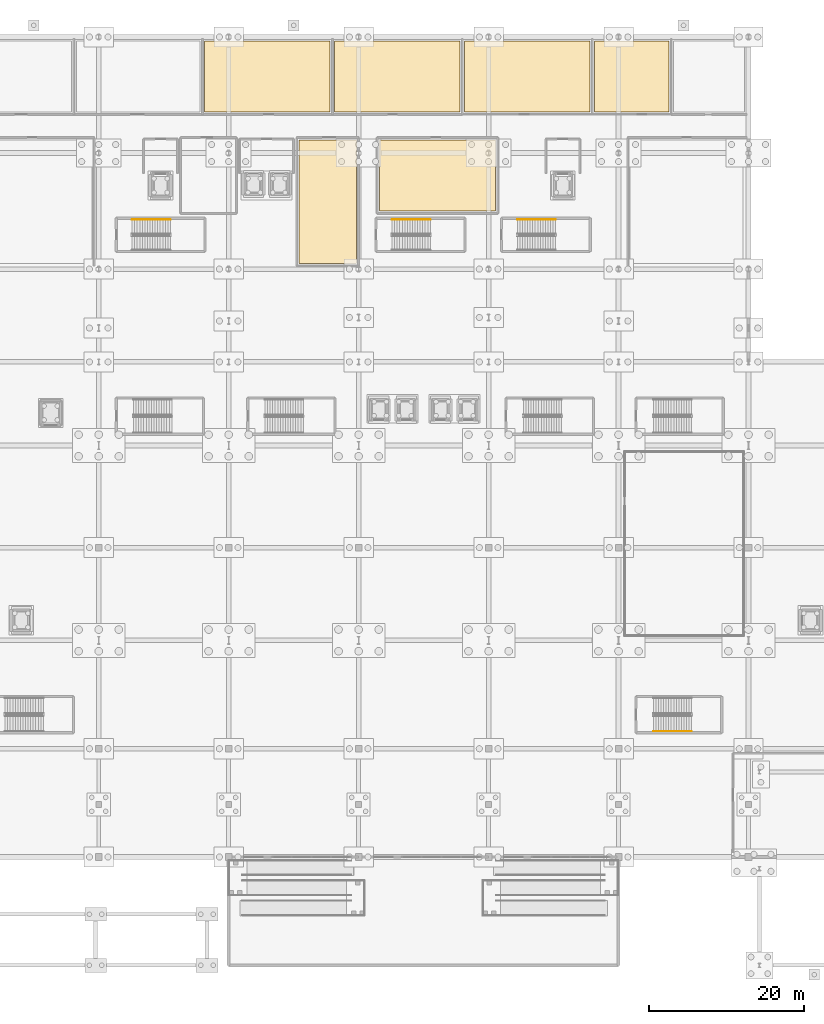
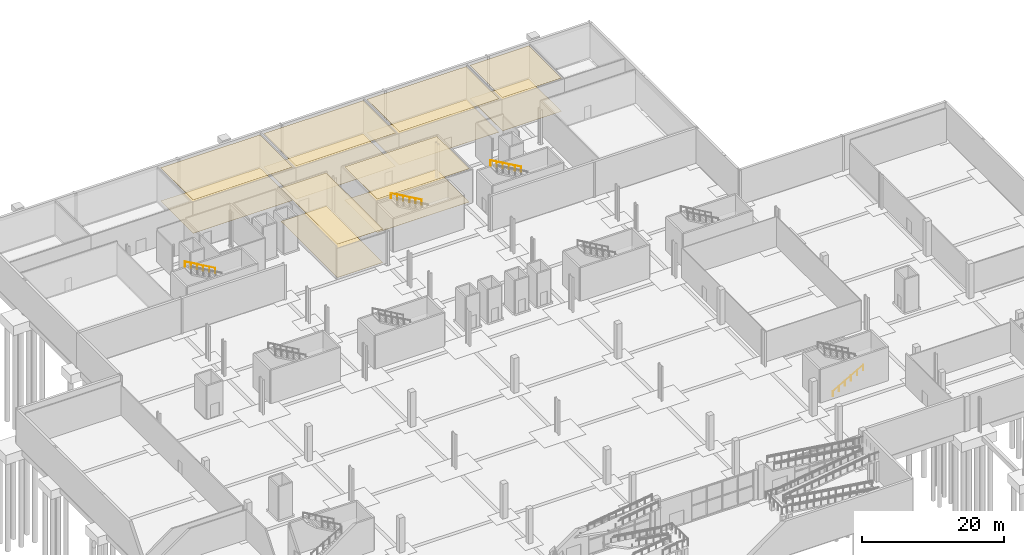
# One storey, part 42 of 46: 12 coverings, 4 railings.
"""IFC4 building model written with IfcOpenShell, lengths in metres."""

from ifc_helpers import new_model, si_unit, direction, frame, origin, origin_2d, place, context, subcontext, project, spatial, polyline, circle, outline, extrude, material, layer, layer_set, type_object, element, save


model = new_model("IFC4")

# Units and contexts
model_context = context("Model", 3, precision=1e-05, world=origin(), true_north=direction((0.0, 1.0)))
body_context = subcontext(model_context, "Body", "Model", "MODEL_VIEW")
ifc_project = project(units=[si_unit("LENGTHUNIT", "METRE"), si_unit("AREAUNIT", "SQUARE_METRE"), si_unit("VOLUMEUNIT", "CUBIC_METRE"), si_unit("PLANEANGLEUNIT", "RADIAN"), si_unit("MASSUNIT", "GRAM", prefix="KILO")], contexts=[model_context])

# Site, building, storey
site_placement = place(None, origin())
site = spatial("IfcSite", under=ifc_project, at=site_placement, CompositionType="ELEMENT")
building_placement = place(site_placement, origin())
building = spatial("IfcBuilding", under=site, at=building_placement, Name="Kimbaza Rail Terminus", CompositionType="ELEMENT")
storey_placement = place(building_placement, frame((0.0, 0.0, -6.0)))
storey = spatial("IfcBuildingStorey", under=building, at=storey_placement, Name="B1", CompositionType="ELEMENT", Elevation=-6.0)

# Coverings
ifc_material_1 = material(Name="Perforated acoustic mineral ceiling tile", Category="gypsum")
ifc_layer_1 = layer(ifc_material_1, 0.02490234375)
ifc_layer_set_1 = layer_set([ifc_layer_1], Name="Perforated acoustic mineral ceiling tile")
covering_type_1 = type_object("IfcCoveringType", Name="ARC-COV-CEIL", PredefinedType="CEILING", material=ifc_layer_set_1)
covering_1_placement = place(storey_placement, frame((0.0, 0.0, 5.72998046875)))
element("IfcCovering", 1, at=covering_1_placement, inside=storey, type_object=covering_type_1, Name="District Chiller Plant Room Acoustic Ceiling", PredefinedType="CEILING", context=body_context, shape_type="SweptSolid", body=[
    extrude(outline(polyline([(85.699951171875, 123.300048828125), (101.89990234375, 123.300048828125), (101.89990234375, 132.5), (85.699951171875, 132.5), (85.699951171875, 123.300048828125)])), origin(), (0.0, 0.0, 1.0), 0.02490234375),
])
covering_2_placement = place(storey_placement, frame((0.0, 0.0, 5.72998046875)))
element("IfcCovering", 2, at=covering_2_placement, inside=storey, type_object=covering_type_1, Name="Sprinkler and Fire Pump Plant Acoustic Ceiling", PredefinedType="CEILING", context=body_context, shape_type="SweptSolid", body=[
    extrude(outline(polyline([(102.5, 123.300048828125), (118.699951171875, 123.300048828125), (118.699951171875, 132.5), (102.5, 132.5), (102.5, 123.300048828125)])), origin(), (0.0, 0.0, 1.0), 0.02490234375),
])
covering_3_placement = place(storey_placement, frame((0.0, 0.0, 5.72998046875)))
element("IfcCovering", 3, at=covering_3_placement, inside=storey, type_object=covering_type_1, Name="Fiber Cable Vault and Main Switch Acoustic Ceiling", PredefinedType="CEILING", context=body_context, shape_type="SweptSolid", body=[
    extrude(outline(polyline([(119.300048828125, 123.300048828125), (135.5, 123.300048828125), (135.5, 132.5), (119.300048828125, 132.5), (119.300048828125, 123.300048828125)])), origin(), (0.0, 0.0, 1.0), 0.02490234375),
])
covering_4_placement = place(storey_placement, frame((0.0, 0.0, 5.72998046875)))
element("IfcCovering", 4, at=covering_4_placement, inside=storey, type_object=covering_type_1, Name="Track Maintenance Equipment Store Acoustic Ceiling", PredefinedType="CEILING", context=body_context, shape_type="SweptSolid", body=[
    extrude(outline(polyline([(136.10009765625, 123.300048828125), (145.699951171875, 123.300048828125), (145.699951171875, 132.5), (136.10009765625, 132.5), (136.10009765625, 123.300048828125)])), origin(), (0.0, 0.0, 1.0), 0.02490234375),
])
covering_5_placement = place(storey_placement, frame((0.0, 0.0, 5.72998046875)))
element("IfcCovering", 5, at=covering_5_placement, inside=storey, type_object=covering_type_1, Name="B1 Network Dispatch Briefing Room Acoustic Ceiling", PredefinedType="CEILING", context=body_context, shape_type="SweptSolid", body=[
    extrude(outline(polyline([(97.89990234375, 103.699951171875), (105.300048828125, 103.699951171875), (105.300048828125, 119.699951171875), (97.89990234375, 119.699951171875), (97.89990234375, 103.699951171875)])), origin(), (0.0, 0.0, 1.0), 0.02490234375),
])
covering_6_placement = place(storey_placement, frame((0.0, 0.0, 5.72998046875)))
element("IfcCovering", 6, at=covering_6_placement, inside=storey, type_object=covering_type_1, Name="B1 Rolling Stock Rostering Studio Acoustic Ceiling", PredefinedType="CEILING", context=body_context, shape_type="SweptSolid", body=[
    extrude(outline(polyline([(108.300048828125, 110.5), (123.300048828125, 110.5), (123.300048828125, 119.699951171875), (108.300048828125, 119.699951171875), (108.300048828125, 110.5)])), origin(), (0.0, 0.0, 1.0), 0.02490234375),
])
ifc_material_2 = material(Name="Honed Congolese granite terrazzo flooring", Category="masonry")
ifc_layer_2 = layer(ifc_material_2, 0.02001953125)
ifc_layer_set_2 = layer_set([ifc_layer_2], Name="Honed Congolese granite terrazzo flooring")
covering_type_2 = type_object("IfcCoveringType", Name="ARC-COV-FLOR", PredefinedType="FLOORING", material=ifc_layer_set_2)
covering_7_placement = place(storey_placement, origin())
element("IfcCovering", 7, at=covering_7_placement, inside=storey, type_object=covering_type_2, Name="District Chiller Plant Room Terrazzo Flooring", PredefinedType="FLOORING", context=body_context, shape_type="SweptSolid", body=[
    extrude(outline(polyline([(85.699951171875, 123.300048828125), (101.89990234375, 123.300048828125), (101.89990234375, 132.5), (85.699951171875, 132.5), (85.699951171875, 123.300048828125)])), origin(), (0.0, 0.0, 1.0), 0.02001953125),
])
covering_8_placement = place(storey_placement, origin())
element("IfcCovering", 8, at=covering_8_placement, inside=storey, type_object=covering_type_2, Name="Sprinkler and Fire Pump Plant Terrazzo Flooring", PredefinedType="FLOORING", context=body_context, shape_type="SweptSolid", body=[
    extrude(outline(polyline([(102.5, 123.300048828125), (118.699951171875, 123.300048828125), (118.699951171875, 132.5), (102.5, 132.5), (102.5, 123.300048828125)])), origin(), (0.0, 0.0, 1.0), 0.02001953125),
])
covering_9_placement = place(storey_placement, origin())
element("IfcCovering", 9, at=covering_9_placement, inside=storey, type_object=covering_type_2, Name="Fiber Cable Vault and Main Switch Terrazzo Flooring", PredefinedType="FLOORING", context=body_context, shape_type="SweptSolid", body=[
    extrude(outline(polyline([(119.300048828125, 123.300048828125), (135.5, 123.300048828125), (135.5, 132.5), (119.300048828125, 132.5), (119.300048828125, 123.300048828125)])), origin(), (0.0, 0.0, 1.0), 0.02001953125),
])
covering_10_placement = place(storey_placement, origin())
element("IfcCovering", 10, at=covering_10_placement, inside=storey, type_object=covering_type_2, Name="Track Maintenance Equipment Store Terrazzo Flooring", PredefinedType="FLOORING", context=body_context, shape_type="SweptSolid", body=[
    extrude(outline(polyline([(136.10009765625, 123.300048828125), (145.699951171875, 123.300048828125), (145.699951171875, 132.5), (136.10009765625, 132.5), (136.10009765625, 123.300048828125)])), origin(), (0.0, 0.0, 1.0), 0.02001953125),
])
covering_11_placement = place(storey_placement, origin())
element("IfcCovering", 11, at=covering_11_placement, inside=storey, type_object=covering_type_2, Name="B1 Network Dispatch Briefing Room Terrazzo Flooring", PredefinedType="FLOORING", context=body_context, shape_type="SweptSolid", body=[
    extrude(outline(polyline([(97.89990234375, 103.699951171875), (105.300048828125, 103.699951171875), (105.300048828125, 119.699951171875), (97.89990234375, 119.699951171875), (97.89990234375, 103.699951171875)])), origin(), (0.0, 0.0, 1.0), 0.02001953125),
])
covering_12_placement = place(storey_placement, origin())
element("IfcCovering", 12, at=covering_12_placement, inside=storey, type_object=covering_type_2, Name="B1 Rolling Stock Rostering Studio Terrazzo Flooring", PredefinedType="FLOORING", context=body_context, shape_type="SweptSolid", body=[
    extrude(outline(polyline([(108.300048828125, 110.5), (123.300048828125, 110.5), (123.300048828125, 119.699951171875), (108.300048828125, 119.699951171875), (108.300048828125, 110.5)])), origin(), (0.0, 0.0, 1.0), 0.02001953125),
])

# Railings
ifc_material_3 = material(Name="Brushed stainless steel handrail", Category="steel")
railing_type = type_object("IfcRailingType", Name="ARC-RL-HND92", PredefinedType="HANDRAIL", material=ifc_material_3)
railing_1_placement = place(storey_placement, frame((81.27001953125, 109.389892578125, 3.1875)))
element("IfcRailing", 13, at=railing_1_placement, inside=storey, type_object=railing_type, Name="B1 ST-W1 stair handrail 2", PredefinedType="HANDRAIL", context=body_context, shape_type="SweptSolid", body=[
    extrude(circle(Radius=0.02392578125, at=origin_2d()), frame((0.0, 0.0, 0.8759765625), z_axis=(-0.869454464302, 0.0, 0.494013091431), x_axis=(0.0, -1.0, 0.0)), (0.0, 0.0, 1.0), 5.693115234375),
    extrude(circle(Radius=0.02099609375, at=origin_2d()), origin(), (0.0, 0.0, 1.0), 0.851806640625),
    extrude(circle(Radius=0.02099609375, at=origin_2d()), frame((-0.989990234375, 0.0, 0.5625)), (0.0, 0.0, 1.0), 0.851806640625),
    extrude(circle(Radius=0.02099609375, at=origin_2d()), frame((-1.97998046875, 0.0, 1.125)), (0.0, 0.0, 1.0), 0.851806640625),
    extrude(circle(Radius=0.02099609375, at=origin_2d()), frame((-2.969970703125, 0.0, 1.6875)), (0.0, 0.0, 1.0), 0.851806640625),
    extrude(circle(Radius=0.02099609375, at=origin_2d()), frame((-3.9599609375, 0.0, 2.25)), (0.0, 0.0, 1.0), 0.851806640625),
    extrude(circle(Radius=0.02099609375, at=origin_2d()), frame((-4.949951171875, 0.0, 2.8125)), (0.0, 0.0, 1.0), 0.851806640625),
])
railing_2_placement = place(storey_placement, frame((114.8701171875, 109.389892578125, 3.1875)))
element("IfcRailing", 14, at=railing_2_placement, inside=storey, type_object=railing_type, Name="B1 ST-M1 stair handrail 2", PredefinedType="HANDRAIL", context=body_context, shape_type="SweptSolid", body=[
    extrude(circle(Radius=0.02392578125, at=origin_2d()), frame((0.0, 0.0, 0.8759765625), z_axis=(-0.869464929287, 0.0, 0.493994672785), x_axis=(0.0, -1.0, 0.0)), (0.0, 0.0, 1.0), 5.693359375),
    extrude(circle(Radius=0.02099609375, at=origin_2d()), origin(), (0.0, 0.0, 1.0), 0.851806640625),
    extrude(circle(Radius=0.02099609375, at=origin_2d()), frame((-0.989990234375, 0.0, 0.5625)), (0.0, 0.0, 1.0), 0.851806640625),
    extrude(circle(Radius=0.02099609375, at=origin_2d()), frame((-1.97998046875, 0.0, 1.125)), (0.0, 0.0, 1.0), 0.851806640625),
    extrude(circle(Radius=0.02099609375, at=origin_2d()), frame((-2.97021484375, 0.0, 1.6875)), (0.0, 0.0, 1.0), 0.851806640625),
    extrude(circle(Radius=0.02099609375, at=origin_2d()), frame((-3.960205078125, 0.0, 2.25)), (0.0, 0.0, 1.0), 0.851806640625),
    extrude(circle(Radius=0.02099609375, at=origin_2d()), frame((-4.9501953125, 0.0, 2.8125)), (0.0, 0.0, 1.0), 0.851806640625),
])
railing_3_placement = place(storey_placement, frame((131.070068359375, 109.389892578125, 3.1875)))
element("IfcRailing", 15, at=railing_3_placement, inside=storey, type_object=railing_type, Name="B1 ST-E1 stair handrail 2", PredefinedType="HANDRAIL", context=body_context, shape_type="SweptSolid", body=[
    extrude(circle(Radius=0.02392578125, at=origin_2d()), frame((0.0, 0.0, 0.8759765625), z_axis=(-0.869454464302, 0.0, 0.494013091431), x_axis=(0.0, -1.0, 0.0)), (0.0, 0.0, 1.0), 5.693115234375),
    extrude(circle(Radius=0.02099609375, at=origin_2d()), origin(), (0.0, 0.0, 1.0), 0.851806640625),
    extrude(circle(Radius=0.02099609375, at=origin_2d()), frame((-0.989990234375, 0.0, 0.5625)), (0.0, 0.0, 1.0), 0.851806640625),
    extrude(circle(Radius=0.02099609375, at=origin_2d()), frame((-1.97998046875, 0.0, 1.125)), (0.0, 0.0, 1.0), 0.851806640625),
    extrude(circle(Radius=0.02099609375, at=origin_2d()), frame((-2.969970703125, 0.0, 1.6875)), (0.0, 0.0, 1.0), 0.851806640625),
    extrude(circle(Radius=0.02099609375, at=origin_2d()), frame((-3.9599609375, 0.0, 2.25)), (0.0, 0.0, 1.0), 0.851806640625),
    extrude(circle(Radius=0.02099609375, at=origin_2d()), frame((-4.949951171875, 0.0, 2.8125)), (0.0, 0.0, 1.0), 0.851806640625),
])
railing_4_placement = place(storey_placement, frame((143.699951171875, 43.25, 0.1875)))
element("IfcRailing", 16, at=railing_4_placement, inside=storey, type_object=railing_type, Name="B1 ST-S2 stair handrail 1", PredefinedType="HANDRAIL", context=body_context, shape_type="SweptSolid", body=[
    extrude(circle(Radius=0.02392578125, at=origin_2d()), frame((0.0, 0.0, 0.8759765625), z_axis=(0.869454464302, 0.0, 0.494013091431), x_axis=(0.0, 1.0, 0.0)), (0.0, 0.0, 1.0), 5.693115234375),
    extrude(circle(Radius=0.02099609375, at=origin_2d()), origin(), (0.0, 0.0, 1.0), 0.851806640625),
    extrude(circle(Radius=0.02099609375, at=origin_2d()), frame((0.989990234375, 0.0, 0.5625)), (0.0, 0.0, 1.0), 0.851806640625),
    extrude(circle(Radius=0.02099609375, at=origin_2d()), frame((1.97998046875, 0.0, 1.125)), (0.0, 0.0, 1.0), 0.851806640625),
    extrude(circle(Radius=0.02099609375, at=origin_2d()), frame((2.969970703125, 0.0, 1.6875)), (0.0, 0.0, 1.0), 0.851806640625),
    extrude(circle(Radius=0.02099609375, at=origin_2d()), frame((3.9599609375, 0.0, 2.25)), (0.0, 0.0, 1.0), 0.851806640625),
    extrude(circle(Radius=0.02099609375, at=origin_2d()), frame((4.949951171875, 0.0, 2.8125)), (0.0, 0.0, 1.0), 0.851806640625),
])

save(model, "model.ifc")
